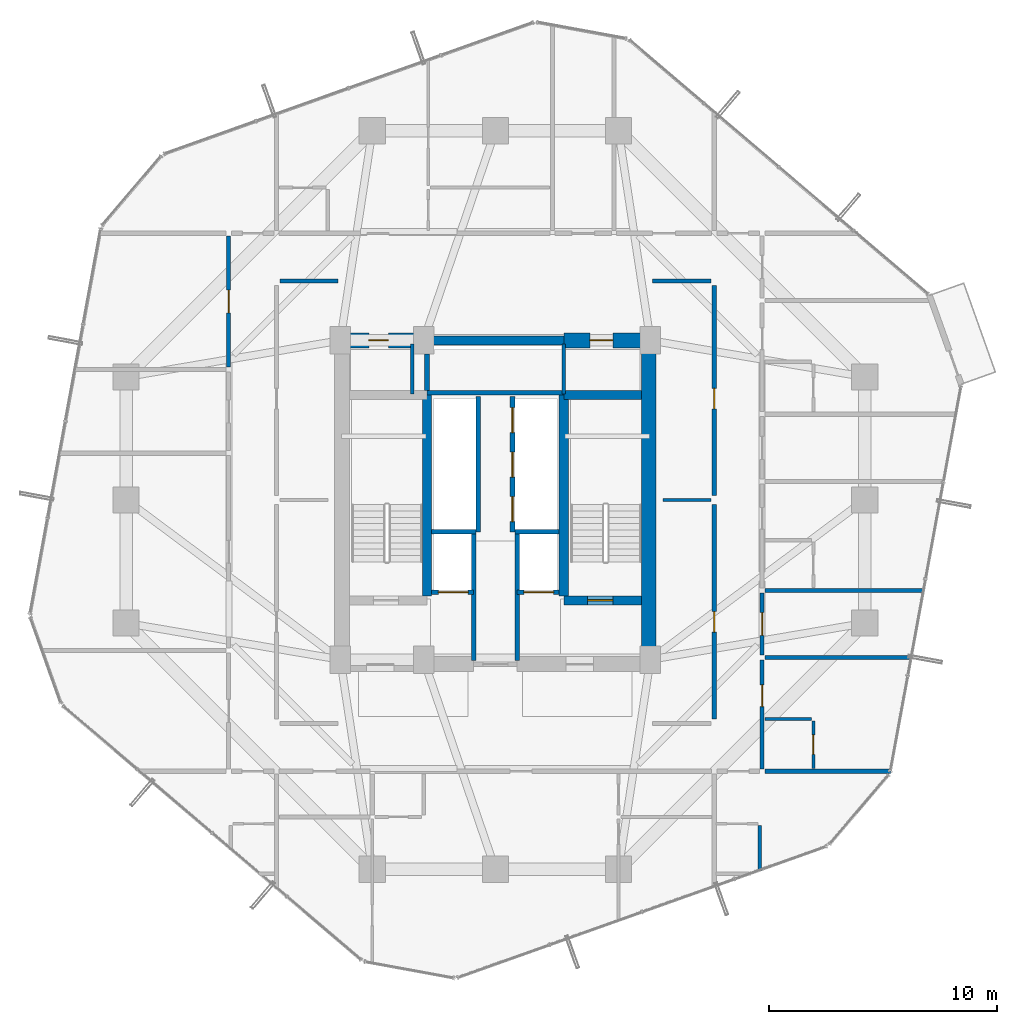
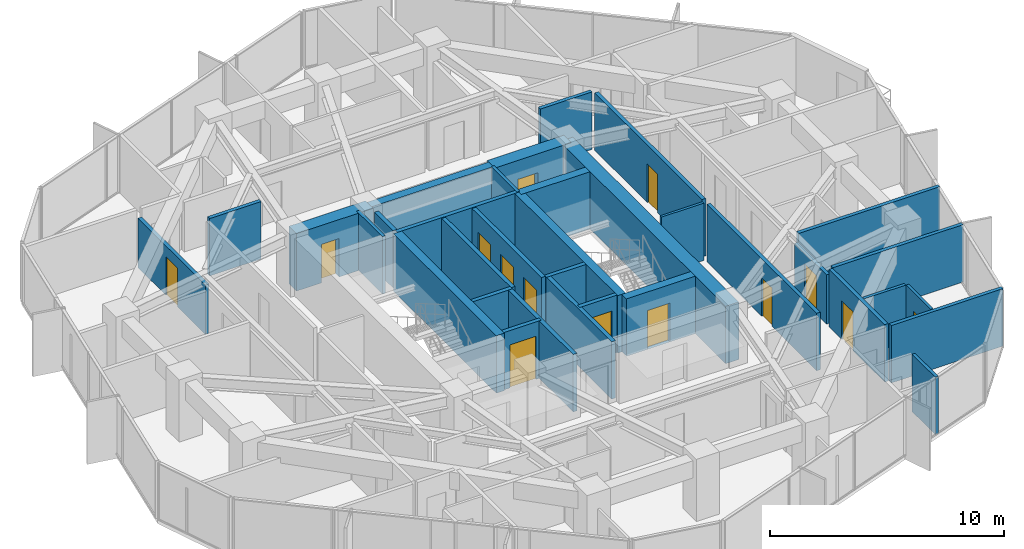
# One storey, part 29 of 33: 34 walls, 14 doors, 14 openings.
"""IFC4 building model written with IfcOpenShell, lengths in metres."""

import ifcopenshell
import ifcopenshell.guid

model = None  # the IFC model being written
_history = None  # IfcOwnerHistory: only IFC2X3 demands one
_inside = {}  # id of a spatial element -> (the spatial element, [elements in it])
_under = {}  # id of a project, library or spatial element -> (it, [spatial elements below it])
_declared = {}  # id of a project -> (the project, [libraries it declares])
_typed = {}  # id of a type object -> (the type object, [elements of that type])
_made_of = {}  # id of a material, layer set ... -> (it, [elements and type objects made of it])


def new_model(schema):
    """Start an empty IFC model of exactly this schema.

    Asked for "IFC4X3", IfcOpenShell would pick the latest addendum, in which some entities
    have other attributes; the version numbers below select the first issue.
    IFC2X3 requires an IfcOwnerHistory on every rooted entity: one is made here for all.
    """
    global model, _history
    if schema == "IFC4X3":
        model = ifcopenshell.file(schema_version=(4, 3, 0, 0))
    else:
        model = ifcopenshell.file(schema=schema)
    _inside.clear()
    _under.clear()
    _declared.clear()
    _typed.clear()
    _made_of.clear()
    _history = None
    if model.schema == "IFC2X3":
        org = make("IfcOrganization", Name="unknown")
        user = make(
            "IfcPersonAndOrganization",
            ThePerson=make("IfcPerson", FamilyName="unknown"),
            TheOrganization=org,
        )
        app = make(
            "IfcApplication",
            ApplicationDeveloper=org,
            Version="unknown",
            ApplicationFullName="unknown",
            ApplicationIdentifier="unknown",
        )
        _history = make(
            "IfcOwnerHistory",
            OwningUser=user,
            OwningApplication=app,
            ChangeAction="ADDED",
            CreationDate=0,
        )
    return model


def make(cls, **values):
    """One entity of the class cls with the attributes given. An attribute that is None is left unset."""
    return model.create_entity(
        cls, **{name: value for name, value in values.items() if value is not None}
    )


def rooted(cls, **values):
    """An entity with a GlobalId (a new one), such as an element, a storey or a relation."""
    return make(cls, GlobalId=ifcopenshell.guid.new(), OwnerHistory=_history, **values)


def si_unit(unit_type, name, prefix=None):
    """IfcSIUnit, for example si_unit("LENGTHUNIT", "METRE", prefix="MILLI")."""
    return make("IfcSIUnit", UnitType=unit_type, Prefix=prefix, Name=name)


def assignment(units):
    """IfcUnitAssignment: the units of a project."""
    return None if units is None else make("IfcUnitAssignment", Units=units)


def point(xyz):
    """IfcCartesianPoint."""
    return None if xyz is None else make("IfcCartesianPoint", Coordinates=xyz)


def direction(xyz):
    """IfcDirection."""
    return None if xyz is None else make("IfcDirection", DirectionRatios=xyz)


def frame(location, z_axis=None, x_axis=None):
    """IfcAxis2Placement3D, a coordinate frame: its origin and axes. An axis left out is left unset."""
    return make(
        "IfcAxis2Placement3D",
        Location=point(location),
        Axis=direction(z_axis),
        RefDirection=direction(x_axis),
    )


def frame_2d(location, x_axis=None):
    """IfcAxis2Placement2D, a coordinate frame in the plane: its origin and x axis."""
    return make(
        "IfcAxis2Placement2D", Location=point(location), RefDirection=direction(x_axis)
    )


def origin():
    """The frame at (0, 0, 0) with its axes left unset."""
    return frame((0.0, 0.0, 0.0))


def place(relative_to, where):
    """IfcLocalPlacement: puts the frame where relative to a parent placement (None: the world)."""
    return make(
        "IfcLocalPlacement", PlacementRelTo=relative_to, RelativePlacement=where
    )


def context(
    kind, dimensions, precision=None, world=None, true_north=None, identifier=None
):
    """IfcGeometricRepresentationContext, for example the 3D "Model" context."""
    return make(
        "IfcGeometricRepresentationContext",
        ContextIdentifier=identifier,
        ContextType=kind,
        CoordinateSpaceDimension=dimensions,
        Precision=precision,
        WorldCoordinateSystem=world,
        TrueNorth=true_north,
    )


def subcontext(parent, identifier, kind, view, scale=None):
    """IfcGeometricRepresentationSubContext, for example "Body" below "Model"."""
    return make(
        "IfcGeometricRepresentationSubContext",
        ContextIdentifier=identifier,
        ContextType=kind,
        ParentContext=parent,
        TargetScale=scale,
        TargetView=view,
    )


def project(units=None, contexts=None):
    """IfcProject with its units and contexts."""
    return rooted(
        "IfcProject",
        Name="project",
        RepresentationContexts=contexts,
        UnitsInContext=assignment(units),
    )


def spatial(cls, under=None, at=None, **own):
    """A site, building, storey or space (cls), placed at a placement, below another one or the project."""
    s = rooted(cls, ObjectPlacement=at, **own)
    if under is not None:
        _under.setdefault(under.id(), (under, []))[1].append(s)
    return s


def profile(cls, at=None, kind="AREA", **sizes):
    """A parametric profile (cls). Its sizes go by their IFC names, for example OverallWidth=200.0."""
    return make(cls, ProfileType=kind, Position=at, **sizes)


def rectangle(**sizes):
    """IfcRectangleProfileDef."""
    return profile("IfcRectangleProfileDef", **sizes)


def extrude(swept, where, along, depth):
    """IfcExtrudedAreaSolid: the profile swept, set in the frame where, extruded along a direction by depth."""
    return make(
        "IfcExtrudedAreaSolid",
        SweptArea=swept,
        Position=where,
        ExtrudedDirection=direction(along),
        Depth=depth,
    )


def shape(context_of_items, identifier, shape_type, items):
    """IfcShapeRepresentation: the items that make up one representation, for example the "Body"."""
    return make(
        "IfcShapeRepresentation",
        ContextOfItems=context_of_items,
        RepresentationIdentifier=identifier,
        RepresentationType=shape_type,
        Items=items,
    )


def source(mapping_origin, context_of_items, identifier, shape_type, items):
    """IfcRepresentationMap: a shape defined once, which mapped items show again and again."""
    return make(
        "IfcRepresentationMap",
        MappingOrigin=mapping_origin,
        MappedRepresentation=shape(context_of_items, identifier, shape_type, items),
    )


def transform(
    local_origin,
    x_axis=None,
    y_axis=None,
    z_axis=None,
    scale=None,
    scale2=None,
    scale3=None,
    uniform=True,
):
    """IfcCartesianTransformationOperator3D, or its non-uniform kind. x_axis, y_axis, z_axis: its Axis1, 2, 3."""
    if uniform:
        return make(
            "IfcCartesianTransformationOperator3D",
            Axis1=direction(x_axis),
            Axis2=direction(y_axis),
            LocalOrigin=point(local_origin),
            Scale=scale,
            Axis3=direction(z_axis),
        )
    return make(
        "IfcCartesianTransformationOperator3DnonUniform",
        Axis1=direction(x_axis),
        Axis2=direction(y_axis),
        LocalOrigin=point(local_origin),
        Scale=scale,
        Axis3=direction(z_axis),
        Scale2=scale2,
        Scale3=scale3,
    )


def mapped(mapping_source, mapping_target):
    """IfcMappedItem: shows the shape of a source again, moved by a transform."""
    return make(
        "IfcMappedItem", MappingSource=mapping_source, MappingTarget=mapping_target
    )


def material(Name=None, Category=None):
    """IfcMaterial."""
    return make("IfcMaterial", Name=Name, Category=Category)


def layer(
    of_material, thickness, ventilated=None, Name=None, Category=None, Priority=None
):
    """IfcMaterialLayer: one layer of a wall or slab, of a material (None: an air gap)."""
    return make(
        "IfcMaterialLayer",
        Material=of_material,
        LayerThickness=thickness,
        IsVentilated=ventilated,
        Name=Name,
        Category=Category,
        Priority=Priority,
    )


def layer_set(layers, Name=None):
    """IfcMaterialLayerSet."""
    return make("IfcMaterialLayerSet", MaterialLayers=layers, LayerSetName=Name)


def made_of(thing, what):
    """Note that an element or type object is made of a material, layer set ...; save() writes the relation."""
    if what is not None:
        _made_of.setdefault(what.id(), (what, []))[1].append(thing)
    return thing


def type_object(cls, material=None, **own):
    """A type object (cls), such as IfcWallType, which elements share."""
    return made_of(rooted(cls, **own), material)


def element(
    cls,
    number,
    at=None,
    inside=None,
    cuts=None,
    type_object=None,
    material=None,
    context=None,
    identifier="Body",
    shape_type=None,
    held_by="IfcProductDefinitionShape",
    body=None,
    shapes=None,
    **own,
):
    """One element of the class cls, such as IfcWall. Its Tag is "e" and its number.

    at: its placement. inside: the storey or other place that contains it. cuts: it is an
    opening in that element (IfcRelVoidsElement). A single representation is given by context,
    identifier, shape_type and body (its items); several are given by shapes. held_by: the class
    of the entity that holds the representations. save() writes the other relations.
    """
    e = rooted(cls, Tag="e%d" % number, ObjectPlacement=at, **own)
    if body is not None:
        shapes = [shape(context, identifier, shape_type, body)]
    if shapes is not None:
        e.Representation = make(held_by, Representations=shapes)
    if inside is not None:
        _inside.setdefault(inside.id(), (inside, []))[1].append(e)
    if cuts is not None:
        rooted(
            "IfcRelVoidsElement", RelatingBuildingElement=cuts, RelatedOpeningElement=e
        )
    if type_object is not None:
        _typed.setdefault(type_object.id(), (type_object, []))[1].append(e)
    return made_of(e, material)


def fill(opening, filler):
    """IfcRelFillsElement: the door or window that sits in an opening."""
    return rooted(
        "IfcRelFillsElement",
        RelatingOpeningElement=opening,
        RelatedBuildingElement=filler,
    )


def aggregate(whole, parts):
    """IfcRelAggregates: a whole, such as a stair, and the parts it consists of."""
    return rooted("IfcRelAggregates", RelatingObject=whole, RelatedObjects=parts)


def save(model, path):
    """Write the relations noted so far, then the file.

    IfcRelAggregates (storeys below a building ...), IfcRelContainedInSpatialStructure (elements
    in a storey), IfcRelDefinesByType, IfcRelAssociatesMaterial and IfcRelDeclares: one each for
    every whole, place, type object, material and project.
    """
    for whole, parts in _under.values():
        aggregate(whole, parts)
    for where, things in _inside.values():
        rooted(
            "IfcRelContainedInSpatialStructure",
            RelatedElements=things,
            RelatingStructure=where,
        )
    for kind, things in _typed.values():
        rooted("IfcRelDefinesByType", RelatedObjects=things, RelatingType=kind)
    for what, things in _made_of.values():
        rooted("IfcRelAssociatesMaterial", RelatedObjects=things, RelatingMaterial=what)
    for by, libraries in _declared.values():
        rooted("IfcRelDeclares", RelatingContext=by, RelatedDefinitions=libraries)
    model.write(path)


model = new_model("IFC4")

# Units and contexts
model_context = context("Model", 3, precision=1e-05, world=origin(), true_north=direction((0.0, 1.0)))
body_context = subcontext(model_context, "Body", "Model", "MODEL_VIEW")
ifc_project = project(units=[si_unit("LENGTHUNIT", "METRE"), si_unit("AREAUNIT", "SQUARE_METRE"), si_unit("VOLUMEUNIT", "CUBIC_METRE"), si_unit("PLANEANGLEUNIT", "RADIAN"), si_unit("MASSUNIT", "GRAM", prefix="KILO")], contexts=[model_context])

# Site, building, storey
site_placement = place(None, origin())
site = spatial("IfcSite", under=ifc_project, at=site_placement, CompositionType="ELEMENT")
building_placement = place(site_placement, origin())
building = spatial("IfcBuilding", under=site, at=building_placement, Name="Veraguas Prism Commons", CompositionType="ELEMENT")
storey_placement = place(building_placement, frame((0.0, 0.0, 92.699951171875)))
storey = spatial("IfcBuildingStorey", under=building, at=storey_placement, Name="L25", CompositionType="ELEMENT", Elevation=92.699951171875)

# Wall
ifc_material_1 = material(Name="Concrete C50/60", Category="concrete")
ifc_layer_1 = layer(ifc_material_1, 0.39990234375, Name="Clinic and Mid Core Shear Wall RC 400", Category="concrete")
ifc_layer_set_1 = layer_set([ifc_layer_1], Name="Concrete C50/60")
wall_type_1 = type_object("IfcWallType", Name="Clinic and Mid Core Shear Wall RC 400", PredefinedType="SHEAR", material=ifc_layer_set_1)
wall_1_placement = place(storey_placement, frame((21.0, 31.0, 0.0), z_axis=(0.0, 0.0, 1.0), x_axis=(1.0, 0.0, 0.0)))
element("IfcWall", 1, at=wall_1_placement, inside=storey, type_object=wall_type_1, Name="High-Rise Lift Bank Front Shear Wall L25", PredefinedType="SHEAR", context=body_context, shape_type="SweptSolid", body=[
    extrude(rectangle(XDim=6.0, YDim=0.39990234375, at=frame_2d((3.0, 0.0))), origin(), (0.0, 0.0, 1.0), 3.0),
])

# Wall, opening, door
wall_2_placement = place(storey_placement, frame((27.0, 19.60009765625, 0.0), z_axis=(0.0, 0.0, 1.0), x_axis=(1.0, 0.0, 0.0)))
wall_2 = element("IfcWall", 2, at=wall_2_placement, inside=storey, type_object=wall_type_1, Name="Stair ST-02 South Shear Wall L25", PredefinedType="SHEAR", context=body_context, shape_type="SweptSolid", body=[
    extrude(rectangle(XDim=3.39990234375, YDim=0.39990234375, at=frame_2d((1.699951171875, 0.0))), origin(), (0.0, 0.0, 1.0), 3.0),
])
opening_1_placement = place(wall_2_placement, frame((1.050048828125, 0.0, 0.0)))
opening_1 = element("IfcOpeningElement", 3, at=opening_1_placement, cuts=wall_2, Name="Opening DR-05", PredefinedType="OPENING", context=body_context, shape_type="SweptSolid", body=[
    extrude(rectangle(XDim=1.10009765625, YDim=2.030029296875, at=frame_2d((0.550048828125, 1.01513671875))), frame((0.0, 0.2099609375, 0.0), z_axis=(0.0, -1.0, 0.0), x_axis=(1.0, 0.0, 0.0)), (0.0, 0.0, 1.0), 0.419921875),
])
ifc_material_2 = material(Name="Steel fire-rated door assembly", Category="steel")
door_type_1 = type_object("IfcDoorType", Name="Protected Stair and Refuge Fire Door 1100x2030", OperationType="NOTDEFINED", PredefinedType="DOOR", material=ifc_material_2)
shared_shape_1 = source(origin(), body_context, "Body", "SweptSolid", [
    extrude(rectangle(XDim=1.10009765625, YDim=2.030029296875, at=frame_2d((0.550048828125, 1.01513671875))), frame((0.0, 0.02490234375, 0.0), z_axis=(0.0, -1.0, 0.0), x_axis=(1.0, 0.0, 0.0)), (0.0, 0.0, 1.0), 0.050048828125),
])
door_1_placement = place(opening_1_placement, origin())
door_1 = element("IfcDoor", 4, at=door_1_placement, inside=storey, type_object=door_type_1, Name="Stair ST-02 Enclosure Door L25", OperationType="SINGLE_SWING_LEFT", OverallHeight=2.030029296875, OverallWidth=1.10009765625, PredefinedType="DOOR", context=body_context, shape_type="MappedRepresentation", body=[
    mapped(shared_shape_1, transform((0.0, 0.0, 0.0), scale=1.0)),
])
fill(opening_1, door_1)

# Walls
for number, where, z_axis, x_axis, name in (
    (5, (21.0, 19.800048828125, 0.0), (0.0, 0.0, 1.0), (0.0, 1.0, 0.0), "Stair ST-01 Inner Shear Wall L25"),
    (6, (27.0, 19.800048828125, 0.0), (0.0, 0.0, 1.0), (0.0, 1.0, 0.0), "Stair ST-02 Inner Shear Wall L25"),
):
    element("IfcWall", number, at=place(storey_placement, frame(where, z_axis=z_axis, x_axis=x_axis)), inside=storey, type_object=wall_type_1, Name=name, PredefinedType="SHEAR", context=body_context, shape_type="SweptSolid", body=[
        extrude(rectangle(XDim=8.800048828125, YDim=0.39990234375, at=frame_2d((4.39990234375, 0.0))), origin(), (0.0, 0.0, 1.0), 3.0),
    ])
wall_3_placement = place(storey_placement, frame((27.0, 28.60009765625, 0.0), z_axis=(0.0, 0.0, 1.0), x_axis=(1.0, 0.0, 0.0)))
element("IfcWall", 7, at=wall_3_placement, inside=storey, type_object=wall_type_1, Name="Stair ST-02 North Shear Wall L25", PredefinedType="SHEAR", context=body_context, shape_type="SweptSolid", body=[
    extrude(rectangle(XDim=3.39990234375, YDim=0.39990234375, at=frame_2d((1.699951171875, 0.0))), origin(), (0.0, 0.0, 1.0), 3.0),
])
ifc_material_3 = material(Name="Concrete C55/67", Category="concrete")
ifc_layer_2 = layer(ifc_material_3, 0.64990234375, Name="Core Outer Shear Wall Mid RC 650", Category="concrete")
ifc_layer_set_2 = layer_set([ifc_layer_2], Name="Concrete C55/67")
wall_type_2 = type_object("IfcWallType", Name="Core Outer Shear Wall Mid RC 650", PredefinedType="SHEAR", material=ifc_layer_set_2)
wall_4_placement = place(storey_placement, frame((30.72509765625, 16.800048828125, 0.0), z_axis=(0.0, 0.0, 1.0), x_axis=(0.0, 1.0, 0.0)))
element("IfcWall", 8, at=wall_4_placement, inside=storey, type_object=wall_type_2, Name="Central Core East Shear Wall L25", PredefinedType="SHEAR", context=body_context, shape_type="SweptSolid", body=[
    extrude(rectangle(XDim=14.199951171875, YDim=0.64990234375, at=frame_2d((7.10009765625, 0.0))), origin(), (0.0, 0.0, 1.0), 3.0),
])

# Wall, opening, door
wall_5_placement = place(storey_placement, frame((17.199951171875, 31.0, 0.0), z_axis=(0.0, 0.0, 1.0), x_axis=(1.0, 0.0, 0.0)))
wall_5 = element("IfcWall", 9, at=wall_5_placement, inside=storey, type_object=wall_type_2, Name="Central Core North-West Shear Wall L25", PredefinedType="SHEAR", context=body_context, shape_type="SweptSolid", body=[
    extrude(rectangle(XDim=3.800048828125, YDim=0.64990234375, at=frame_2d((1.89990234375, 0.0))), origin(), (0.0, 0.0, 1.0), 3.0),
])
opening_2_placement = place(wall_5_placement, frame((1.25, 0.0, 0.0)))
opening_2 = element("IfcOpeningElement", 10, at=opening_2_placement, cuts=wall_5, Name="Opening DR-12", PredefinedType="OPENING", context=body_context, shape_type="SweptSolid", body=[
    extrude(rectangle(XDim=0.860107421875, YDim=2.010009765625, at=frame_2d((0.43017578125, 1.0048828125))), frame((0.0, 0.3349609375, 0.0), z_axis=(0.0, -1.0, 0.0), x_axis=(1.0, 0.0, 0.0)), (0.0, 0.0, 1.0), 0.669921875),
])
door_type_2 = type_object("IfcDoorType", Name="Core WC Fire Door 860x2010", OperationType="NOTDEFINED", PredefinedType="DOOR", material=ifc_material_2)
shared_shape_2 = source(origin(), body_context, "Body", "SweptSolid", [
    extrude(rectangle(XDim=0.860107421875, YDim=2.010009765625, at=frame_2d((0.43017578125, 1.0048828125))), frame((0.0, 0.02490234375, 0.0), z_axis=(0.0, -1.0, 0.0), x_axis=(1.0, 0.0, 0.0)), (0.0, 0.0, 1.0), 0.050048828125),
])
door_2_placement = place(opening_2_placement, origin())
door_2 = element("IfcDoor", 11, at=door_2_placement, inside=storey, type_object=door_type_2, Name="Core NW Service Door L25", OperationType="SINGLE_SWING_RIGHT", OverallHeight=2.010009765625, OverallWidth=0.860107421875, PredefinedType="DOOR", context=body_context, shape_type="MappedRepresentation", body=[
    mapped(shared_shape_2, transform((0.0, 0.0, 0.0), scale=1.0)),
])
fill(opening_2, door_2)

wall_6_placement = place(storey_placement, frame((27.0, 31.0, 0.0), z_axis=(0.0, 0.0, 1.0), x_axis=(1.0, 0.0, 0.0)))
wall_6 = element("IfcWall", 12, at=wall_6_placement, inside=storey, type_object=wall_type_2, Name="Central Core North-East Shear Wall L25", PredefinedType="SHEAR", context=body_context, shape_type="SweptSolid", body=[
    extrude(rectangle(XDim=3.800048828125, YDim=0.64990234375, at=frame_2d((1.89990234375, 0.0))), origin(), (0.0, 0.0, 1.0), 3.0),
])
opening_3_placement = place(wall_6_placement, frame((1.14990234375, 0.0, 0.0)))
opening_3 = element("IfcOpeningElement", 13, at=opening_3_placement, cuts=wall_6, Name="Opening DR-13", PredefinedType="OPENING", context=body_context, shape_type="SweptSolid", body=[
    extrude(rectangle(XDim=1.0, YDim=2.010009765625, at=frame_2d((0.5, 1.0048828125))), frame((0.0, 0.3349609375, 0.0), z_axis=(0.0, -1.0, 0.0), x_axis=(1.0, 0.0, 0.0)), (0.0, 0.0, 1.0), 0.669921875),
])
door_type_3 = type_object("IfcDoorType", Name="Core Accessible WC and Clinic Fire Door 1000x2010", OperationType="NOTDEFINED", PredefinedType="DOOR", material=ifc_material_2)
shared_shape_3 = source(origin(), body_context, "Body", "SweptSolid", [
    extrude(rectangle(XDim=1.0, YDim=2.010009765625, at=frame_2d((0.5, 1.0048828125))), frame((0.0, 0.02490234375, 0.0), z_axis=(0.0, -1.0, 0.0), x_axis=(1.0, 0.0, 0.0)), (0.0, 0.0, 1.0), 0.050048828125),
])
door_3_placement = place(opening_3_placement, origin())
door_3 = element("IfcDoor", 14, at=door_3_placement, inside=storey, type_object=door_type_3, Name="Core NE Pantry Door L25", OperationType="SINGLE_SWING_LEFT", OverallHeight=2.010009765625, OverallWidth=1.0, PredefinedType="DOOR", context=body_context, shape_type="MappedRepresentation", body=[
    mapped(shared_shape_3, transform((0.0, 0.0, 0.0), scale=1.0)),
])
fill(opening_3, door_3)

ifc_material_4 = material(Name="Autoclaved aerated masonry block 10 MPa", Category="masonry")
ifc_layer_3 = layer(ifc_material_4, 0.179931640625, Name="Corridor and Inter-Tenancy Partition 180", Category="masonry")
ifc_layer_set_3 = layer_set([ifc_layer_3], Name="Autoclaved aerated masonry block 10 MPa")
wall_type_3 = type_object("IfcWallType", Name="Corridor and Inter-Tenancy Partition 180", PredefinedType="PARTITIONING", material=ifc_layer_set_3)
wall_7_placement = place(storey_placement, frame((33.60009765625, 14.39990234375, 0.0), z_axis=(0.0, 0.0, 1.0), x_axis=(0.0, 1.0, 0.0)))
wall_7 = element("IfcWall", 15, at=wall_7_placement, inside=storey, type_object=wall_type_3, Name="WL-L25-IRE1", PredefinedType="PARTITIONING", context=body_context, shape_type="SweptSolid", body=[
    extrude(rectangle(XDim=9.400146484375, YDim=0.179931640625, at=frame_2d((4.7001953125, 0.0))), origin(), (0.0, 0.0, 1.0), 3.0),
])
opening_4_placement = place(wall_7_placement, frame((3.800048828125, 0.0, 0.0)))
opening_4 = element("IfcOpeningElement", 16, at=opening_4_placement, cuts=wall_7, Name="Opening DR-14", PredefinedType="OPENING", context=body_context, shape_type="SweptSolid", body=[
    extrude(rectangle(XDim=0.89990234375, YDim=2.010009765625, at=frame_2d((0.449951171875, 1.0048828125))), frame((0.0, 0.099853515625, 0.0), z_axis=(0.0, -1.0, 0.0), x_axis=(1.0, 0.0, 0.0)), (0.0, 0.0, 1.0), 0.199951171875),
])
door_type_4 = type_object("IfcDoorType", Name="Core Service Room Fire Door 900x2010", OperationType="NOTDEFINED", PredefinedType="DOOR", material=ifc_material_2)
shared_shape_4 = source(origin(), body_context, "Body", "SweptSolid", [
    extrude(rectangle(XDim=0.89990234375, YDim=2.010009765625, at=frame_2d((0.449951171875, 1.0048828125))), frame((0.0, 0.02490234375, 0.0), z_axis=(0.0, -1.0, 0.0), x_axis=(1.0, 0.0, 0.0)), (0.0, 0.0, 1.0), 0.050048828125),
])
door_4_placement = place(opening_4_placement, origin())
door_4 = element("IfcDoor", 17, at=door_4_placement, inside=storey, type_object=door_type_4, Name="Shared Laundry Annex Door L25", OperationType="SINGLE_SWING_RIGHT", OverallHeight=2.010009765625, OverallWidth=0.89990234375, PredefinedType="DOOR", context=body_context, shape_type="MappedRepresentation", body=[
    mapped(shared_shape_4, transform((0.0, 0.0, 0.0), scale=1.0)),
])
fill(opening_4, door_4)

wall_8_placement = place(storey_placement, frame((33.60009765625, 24.199951171875, 0.0), z_axis=(0.0, 0.0, 1.0), x_axis=(0.0, 1.0, 0.0)))
wall_8 = element("IfcWall", 18, at=wall_8_placement, inside=storey, type_object=wall_type_3, Name="WL-L25-IRE2", PredefinedType="PARTITIONING", context=body_context, shape_type="SweptSolid", body=[
    extrude(rectangle(XDim=9.199951171875, YDim=0.179931640625, at=frame_2d((4.60009765625, 0.0))), origin(), (0.0, 0.0, 1.0), 3.0),
])
opening_5_placement = place(wall_8_placement, frame((3.800048828125, 0.0, 0.0)))
opening_5 = element("IfcOpeningElement", 19, at=opening_5_placement, cuts=wall_8, Name="Opening DR-14", PredefinedType="OPENING", context=body_context, shape_type="SweptSolid", body=[
    extrude(rectangle(XDim=0.89990234375, YDim=2.010009765625, at=frame_2d((0.449951171875, 1.0048828125))), frame((0.0, 0.099853515625, 0.0), z_axis=(0.0, -1.0, 0.0), x_axis=(1.0, 0.0, 0.0)), (0.0, 0.0, 1.0), 0.199951171875),
])
door_5_placement = place(opening_5_placement, origin())
door_5 = element("IfcDoor", 20, at=door_5_placement, inside=storey, type_object=door_type_4, Name="Community Reading Alcove Door L25", OperationType="SINGLE_SWING_LEFT", OverallHeight=2.010009765625, OverallWidth=0.89990234375, PredefinedType="DOOR", context=body_context, shape_type="MappedRepresentation", body=[
    mapped(shared_shape_4, transform((0.0, 0.0, 0.0), scale=1.0)),
])
fill(opening_5, door_5)

# Walls
for number, where, z_axis, x_axis, name in (
    (21, (14.550048828125, 33.60009765625, 0.0), (0.0, 0.0, 1.0), (1.0, 0.0, 0.0), "WL-L25-IRWN"),
    (22, (30.89990234375, 33.60009765625, 0.0), (0.0, 0.0, 1.0), (1.0, 0.0, 0.0), "WL-L25-IREN"),
):
    element("IfcWall", number, at=place(storey_placement, frame(where, z_axis=z_axis, x_axis=x_axis)), inside=storey, type_object=wall_type_3, Name=name, PredefinedType="PARTITIONING", context=body_context, shape_type="SweptSolid", body=[
        extrude(rectangle(XDim=2.550048828125, YDim=0.179931640625, at=frame_2d((1.27490234375, 0.0))), origin(), (0.0, 0.0, 1.0), 3.0),
    ])

# Wall, opening, door
wall_9_placement = place(storey_placement, frame((12.300048828125, 29.827880859375, 0.0), z_axis=(0.0, 0.0, 1.0), x_axis=(0.0, 1.0, 0.0)))
wall_9 = element("IfcWall", 23, at=wall_9_placement, inside=storey, type_object=wall_type_3, Name="WL-L25-PT032", PredefinedType="PARTITIONING", context=body_context, shape_type="SweptSolid", body=[
    extrude(rectangle(XDim=5.76220703125, YDim=0.179931640625, at=frame_2d((2.881103515625, 0.0))), origin(), (0.0, 0.0, 1.0), 2.580078125),
])
opening_6_placement = place(wall_9_placement, frame((2.381103515625, 0.0, 0.0)))
opening_6 = element("IfcOpeningElement", 24, at=opening_6_placement, cuts=wall_9, Name="Opening DR-13", PredefinedType="OPENING", context=body_context, shape_type="SweptSolid", body=[
    extrude(rectangle(XDim=1.0, YDim=2.010009765625, at=frame_2d((0.5, 1.0048828125))), frame((0.0, 0.099853515625, 0.0), z_axis=(0.0, -1.0, 0.0), x_axis=(1.0, 0.0, 0.0)), (0.0, 0.0, 1.0), 0.199951171875),
])
door_6_placement = place(opening_6_placement, origin())
door_6 = element("IfcDoor", 25, at=door_6_placement, inside=storey, type_object=door_type_3, Name="Co-op Store W Door", OperationType="SINGLE_SWING_LEFT", OverallHeight=2.010009765625, OverallWidth=1.0, PredefinedType="DOOR", context=body_context, shape_type="MappedRepresentation", body=[
    mapped(shared_shape_3, transform((0.0, 0.0, 0.0), scale=1.0)),
])
fill(opening_6, door_6)

# Wall
wall_10_placement = place(storey_placement, frame((35.820068359375, 12.10009765625, 0.0), z_axis=(0.0, 0.0, 1.0), x_axis=(1.0, 0.0, 0.0)))
element("IfcWall", 26, at=wall_10_placement, inside=storey, type_object=wall_type_3, Name="WL-L25-PT034", PredefinedType="PARTITIONING", context=body_context, shape_type="SweptSolid", body=[
    extrude(rectangle(XDim=5.529296875, YDim=0.179931640625, at=frame_2d((2.7646484375, 0.0))), origin(), (0.0, 0.0, 1.0), 3.0),
])

# Wall, opening, door
wall_11_placement = place(storey_placement, frame((35.699951171875, 17.197998046875, 0.0), z_axis=(0.0, 0.0, 1.0), x_axis=(0.0, 1.0, 0.0)))
wall_11 = element("IfcWall", 27, at=wall_11_placement, inside=storey, type_object=wall_type_3, Name="WL-L25-PT036", PredefinedType="PARTITIONING", context=body_context, shape_type="SweptSolid", body=[
    extrude(rectangle(XDim=2.72998046875, YDim=0.179931640625, at=frame_2d((1.364990234375, 0.0))), origin(), (0.0, 0.0, 1.0), 2.580078125),
])
opening_7_placement = place(wall_11_placement, frame((0.864990234375, 0.0, 0.0)))
opening_7 = element("IfcOpeningElement", 28, at=opening_7_placement, cuts=wall_11, Name="Opening DR-13", PredefinedType="OPENING", context=body_context, shape_type="SweptSolid", body=[
    extrude(rectangle(XDim=1.0, YDim=2.010009765625, at=frame_2d((0.5, 1.0048828125))), frame((0.0, 0.099853515625, 0.0), z_axis=(0.0, -1.0, 0.0), x_axis=(1.0, 0.0, 0.0)), (0.0, 0.0, 1.0), 0.199951171875),
])
door_7_placement = place(opening_7_placement, origin())
door_7 = element("IfcDoor", 29, at=door_7_placement, inside=storey, type_object=door_type_3, Name="Quiet Study E Door", OperationType="SINGLE_SWING_RIGHT", OverallHeight=2.010009765625, OverallWidth=1.0, PredefinedType="DOOR", context=body_context, shape_type="MappedRepresentation", body=[
    mapped(shared_shape_3, transform((0.0, 0.0, 0.0), scale=1.0)),
])
fill(opening_7, door_7)

# Wall
wall_12_placement = place(storey_placement, frame((35.820068359375, 17.087890625, 0.0), z_axis=(0.0, 0.0, 1.0), x_axis=(1.0, 0.0, 0.0)))
element("IfcWall", 30, at=wall_12_placement, inside=storey, type_object=wall_type_3, Name="WL-L25-PT037", PredefinedType="PARTITIONING", context=body_context, shape_type="SweptSolid", body=[
    extrude(rectangle(XDim=6.44482421875, YDim=0.179931640625, at=frame_2d((3.222412109375, 0.0))), origin(), (0.0, 0.0, 1.0), 3.0),
])

# Wall, opening, door
wall_13_placement = place(storey_placement, frame((35.699951171875, 12.2099609375, 0.0), z_axis=(0.0, 0.0, 1.0), x_axis=(0.0, 1.0, 0.0)))
wall_13 = element("IfcWall", 31, at=wall_13_placement, inside=storey, type_object=wall_type_3, Name="WL-L25-PT038", PredefinedType="PARTITIONING", context=body_context, shape_type="SweptSolid", body=[
    extrude(rectangle(XDim=4.76806640625, YDim=0.179931640625, at=frame_2d((2.384033203125, 0.0))), origin(), (0.0, 0.0, 1.0), 3.0),
])
opening_8_placement = place(wall_13_placement, frame((2.729248046875, 0.0, 0.0)))
opening_8 = element("IfcOpeningElement", 32, at=opening_8_placement, cuts=wall_13, Name="Opening DR-01", PredefinedType="OPENING", context=body_context, shape_type="SweptSolid", body=[
    extrude(rectangle(XDim=0.949951171875, YDim=2.02001953125, at=frame_2d((0.47509765625, 1.010009765625))), frame((0.0, 0.099853515625, 0.0), z_axis=(0.0, -1.0, 0.0), x_axis=(1.0, 0.0, 0.0)), (0.0, 0.0, 1.0), 0.199951171875),
])
ifc_material_5 = material(Name="Anodised aluminium EN AW-6063 T6", Category="aluminium")
door_type_5 = type_object("IfcDoorType", Name="Apartment Entrance Fire Door 950x2020", OperationType="NOTDEFINED", PredefinedType="DOOR", material=ifc_material_5)
shared_shape_5 = source(origin(), body_context, "Body", "SweptSolid", [
    extrude(rectangle(XDim=0.949951171875, YDim=2.02001953125, at=frame_2d((0.47509765625, 1.010009765625))), frame((0.0, 0.02490234375, 0.0), z_axis=(0.0, -1.0, 0.0), x_axis=(1.0, 0.0, 0.0)), (0.0, 0.0, 1.0), 0.050048828125),
])
door_8_placement = place(opening_8_placement, origin())
door_8 = element("IfcDoor", 33, at=door_8_placement, inside=storey, type_object=door_type_5, Name="Studio 25C Entrance Door", OperationType="SINGLE_SWING_LEFT", OverallHeight=2.02001953125, OverallWidth=0.949951171875, PredefinedType="DOOR", context=body_context, shape_type="MappedRepresentation", body=[
    mapped(shared_shape_5, transform((0.0, 0.0, 0.0), scale=1.0)),
])
fill(opening_8, door_8)

# Walls
wall_14_placement = place(storey_placement, frame((35.820068359375, 20.0380859375, 0.0), z_axis=(0.0, 0.0, 1.0), x_axis=(1.0, 0.0, 0.0)))
element("IfcWall", 34, at=wall_14_placement, inside=storey, type_object=wall_type_3, Name="WL-L25-PT041", PredefinedType="PARTITIONING", context=body_context, shape_type="SweptSolid", body=[
    extrude(rectangle(XDim=6.986083984375, YDim=0.179931640625, at=frame_2d((3.4931640625, 0.0))), origin(), (0.0, 0.0, 1.0), 3.0),
])
ifc_material_6 = material(Name="Lightweight acoustic gypsum board")
ifc_layer_4 = layer(ifc_material_6, 0.125, Name="Internal Apartment Room Partition 125")
ifc_layer_set_4 = layer_set([ifc_layer_4], Name="Lightweight acoustic gypsum board")
wall_type_4 = type_object("IfcWallType", Name="Internal Apartment Room Partition 125", PredefinedType="PARTITIONING", material=ifc_layer_set_4)
wall_15_placement = place(storey_placement, frame((31.35009765625, 24.0, 0.0), z_axis=(0.0, 0.0, 1.0), x_axis=(1.0, 0.0, 0.0)))
element("IfcWall", 35, at=wall_15_placement, inside=storey, type_object=wall_type_4, Name="WL-L25-IREM", PredefinedType="PARTITIONING", context=body_context, shape_type="SweptSolid", body=[
    extrude(rectangle(XDim=2.099853515625, YDim=0.125, at=frame_2d((1.0498046875, 0.0))), origin(), (0.0, 0.0, 1.0), 3.0),
])

# Wall, opening, door
wall_16_placement = place(storey_placement, frame((37.949951171875, 12.219970703125, 0.0), z_axis=(0.0, 0.0, 1.0), x_axis=(0.0, 1.0, 0.0)))
wall_16 = element("IfcWall", 36, at=wall_16_placement, inside=storey, type_object=wall_type_4, Name="WL-L25-PT040", PredefinedType="PARTITIONING", context=body_context, shape_type="SweptSolid", body=[
    extrude(rectangle(XDim=2.093994140625, YDim=0.125, at=frame_2d((1.046875, 0.0))), origin(), (0.0, 0.0, 1.0), 3.0),
])
opening_9_placement = place(wall_16_placement, frame((0.616943359375, 0.0, 0.0)))
opening_9 = element("IfcOpeningElement", 37, at=opening_9_placement, cuts=wall_16, Name="Opening DR-03", PredefinedType="OPENING", context=body_context, shape_type="SweptSolid", body=[
    extrude(rectangle(XDim=0.860107421875, YDim=2.010009765625, at=frame_2d((0.43017578125, 1.0048828125))), frame((0.0, 0.072509765625, 0.0), z_axis=(0.0, -1.0, 0.0), x_axis=(1.0, 0.0, 0.0)), (0.0, 0.0, 1.0), 0.14501953125),
])
ifc_material_7 = material(Name="Timber moisture-resistant leaf", Category="wood")
door_type_6 = type_object("IfcDoorType", Name="Internal Bathroom Door 860x2010", OperationType="NOTDEFINED", PredefinedType="DOOR", material=ifc_material_7)
door_9_placement = place(opening_9_placement, origin())
door_9 = element("IfcDoor", 38, at=door_9_placement, inside=storey, type_object=door_type_6, Name="Studio 25C Bathroom Door", OperationType="SINGLE_SWING_RIGHT", OverallHeight=2.010009765625, OverallWidth=0.860107421875, PredefinedType="DOOR", context=body_context, shape_type="MappedRepresentation", body=[
    mapped(shared_shape_2, transform((0.0, 0.0, 0.0), scale=1.0)),
])
fill(opening_9, door_9)

ifc_layer_5 = layer(ifc_material_4, 0.199951171875, Name="Rated Shaft and Lobby Block Wall 200", Category="masonry")
ifc_layer_set_5 = layer_set([ifc_layer_5], Name="Autoclaved aerated masonry block 10 MPa")
wall_type_5 = type_object("IfcWallType", Name="Rated Shaft and Lobby Block Wall 200", PredefinedType="SOLIDWALL", material=ifc_layer_set_5)
wall_17_placement = place(storey_placement, frame((21.199951171875, 19.949951171875, 0.0), z_axis=(0.0, 0.0, 1.0), x_axis=(1.0, 0.0, 0.0)))
wall_17 = element("IfcWall", 39, at=wall_17_placement, inside=storey, type_object=wall_type_5, Name="Firefighting Lift FFL-1 Front Wall L25", PredefinedType="SOLIDWALL", context=body_context, shape_type="SweptSolid", body=[
    extrude(rectangle(XDim=1.85009765625, YDim=0.199951171875, at=frame_2d((0.925048828125, 0.0))), origin(), (0.0, 0.0, 1.0), 3.0),
])
opening_10_placement = place(wall_17_placement, frame((0.300048828125, 0.0, 0.0)))
opening_10 = element("IfcOpeningElement", 40, at=opening_10_placement, cuts=wall_17, Name="Opening LD-02", PredefinedType="OPENING", context=body_context, shape_type="SweptSolid", body=[
    extrude(rectangle(XDim=1.300048828125, YDim=2.25, at=frame_2d((0.64990234375, 1.125))), frame((0.0, 0.10986328125, 0.0), z_axis=(0.0, -1.0, 0.0), x_axis=(1.0, 0.0, 0.0)), (0.0, 0.0, 1.0), 0.219970703125),
])
ifc_material_8 = material(Name="Stainless steel AISI 316", Category="steel")
door_type_7 = type_object("IfcDoorType", Name="Firefighting Lift Sliding Landing Door 1300x2250", OperationType="NOTDEFINED", PredefinedType="DOOR", material=ifc_material_8)
shared_shape_6 = source(origin(), body_context, "Body", "SweptSolid", [
    extrude(rectangle(XDim=1.300048828125, YDim=2.25, at=frame_2d((0.64990234375, 1.125))), frame((0.0, 0.02490234375, 0.0), z_axis=(0.0, -1.0, 0.0), x_axis=(1.0, 0.0, 0.0)), (0.0, 0.0, 1.0), 0.050048828125),
])
door_10_placement = place(opening_10_placement, origin())
door_10 = element("IfcDoor", 41, at=door_10_placement, inside=storey, type_object=door_type_7, Name="Firefighting Lift FFL-1 Landing Door L25", OperationType="SLIDING_TO_LEFT", OverallHeight=2.25, OverallWidth=1.300048828125, PredefinedType="DOOR", context=body_context, shape_type="MappedRepresentation", body=[
    mapped(shared_shape_6, transform((0.0, 0.0, 0.0), scale=1.0)),
])
fill(opening_10, door_10)

wall_18_placement = place(storey_placement, frame((24.949951171875, 19.949951171875, 0.0), z_axis=(0.0, 0.0, 1.0), x_axis=(1.0, 0.0, 0.0)))
wall_18 = element("IfcWall", 42, at=wall_18_placement, inside=storey, type_object=wall_type_5, Name="Firefighting Lift FFL-2 Front Wall L25", PredefinedType="SOLIDWALL", context=body_context, shape_type="SweptSolid", body=[
    extrude(rectangle(XDim=1.85009765625, YDim=0.199951171875, at=frame_2d((0.925048828125, 0.0))), origin(), (0.0, 0.0, 1.0), 3.0),
])
opening_11_placement = place(wall_18_placement, frame((0.300048828125, 0.0, 0.0)))
opening_11 = element("IfcOpeningElement", 43, at=opening_11_placement, cuts=wall_18, Name="Opening LD-02", PredefinedType="OPENING", context=body_context, shape_type="SweptSolid", body=[
    extrude(rectangle(XDim=1.300048828125, YDim=2.25, at=frame_2d((0.64990234375, 1.125))), frame((0.0, 0.10986328125, 0.0), z_axis=(0.0, -1.0, 0.0), x_axis=(1.0, 0.0, 0.0)), (0.0, 0.0, 1.0), 0.219970703125),
])
door_11_placement = place(opening_11_placement, origin())
door_11 = element("IfcDoor", 44, at=door_11_placement, inside=storey, type_object=door_type_7, Name="Firefighting Lift FFL-2 Front Wall L25", OperationType="SLIDING_TO_LEFT", OverallHeight=2.25, OverallWidth=1.300048828125, PredefinedType="DOOR", context=body_context, shape_type="MappedRepresentation", body=[
    mapped(shared_shape_6, transform((0.0, 0.0, 0.0), scale=1.0)),
])
fill(opening_11, door_11)

# Walls
for number, where, z_axis, x_axis, name in (
    (45, (23.050048828125, 16.949951171875, 0.0), (0.0, 0.0, 1.0), (0.0, 1.0, 0.0), "West FF Lobby Divider Wall L25"),
    (46, (24.949951171875, 16.949951171875, 0.0), (0.0, 0.0, 1.0), (0.0, 1.0, 0.0), "East FF Lobby Divider Wall L25"),
):
    element("IfcWall", number, at=place(storey_placement, frame(where, z_axis=z_axis, x_axis=x_axis)), inside=storey, type_object=wall_type_5, Name=name, PredefinedType="SOLIDWALL", context=body_context, shape_type="SweptSolid", body=[
        extrude(rectangle(XDim=5.60009765625, YDim=0.199951171875, at=frame_2d((2.800048828125, 0.0))), origin(), (0.0, 0.0, 1.0), 3.0),
    ])
for number, where, z_axis, x_axis, name in (
    (47, (21.199951171875, 22.60009765625, 0.0), (0.0, 0.0, 1.0), (1.0, 0.0, 0.0), "Firefighting Lift FFL-1 Rear Wall L25"),
    (48, (24.85009765625, 22.60009765625, 0.0), (0.0, 0.0, 1.0), (1.0, 0.0, 0.0), "Firefighting Lift FFL-2 Rear Wall L25"),
):
    element("IfcWall", number, at=place(storey_placement, frame(where, z_axis=z_axis, x_axis=x_axis)), inside=storey, type_object=wall_type_5, Name=name, PredefinedType="SOLIDWALL", context=body_context, shape_type="SweptSolid", body=[
        extrude(rectangle(XDim=1.949951171875, YDim=0.199951171875, at=frame_2d((0.97509765625, 0.0))), origin(), (0.0, 0.0, 1.0), 3.0),
    ])
wall_19_placement = place(storey_placement, frame((21.0, 28.699951171875, 0.0), z_axis=(0.0, 0.0, 1.0), x_axis=(1.0, 0.0, 0.0)))
element("IfcWall", 49, at=wall_19_placement, inside=storey, type_object=wall_type_5, Name="High-Rise Lift Bank Rear Shaft Wall L25", PredefinedType="SOLIDWALL", context=body_context, shape_type="SweptSolid", body=[
    extrude(rectangle(XDim=6.0, YDim=0.199951171875, at=frame_2d((3.0, 0.0))), origin(), (0.0, 0.0, 1.0), 3.0),
])
wall_20_placement = place(storey_placement, frame((21.0, 28.800048828125, 0.0), z_axis=(0.0, 0.0, 1.0), x_axis=(0.0, 1.0, 0.0)))
element("IfcWall", 50, at=wall_20_placement, inside=storey, type_object=wall_type_5, Name="High-Rise Lift Bank West Shaft Wall L25", PredefinedType="SOLIDWALL", context=body_context, shape_type="SweptSolid", body=[
    extrude(rectangle(XDim=1.599853515625, YDim=0.199951171875, at=frame_2d((0.7998046875, 0.0))), origin(), (0.0, 0.0, 1.0), 3.0),
])
wall_21_placement = place(storey_placement, frame((23.25, 22.60009765625, 0.0), z_axis=(0.0, 0.0, 1.0), x_axis=(0.0, 1.0, 0.0)))
element("IfcWall", 51, at=wall_21_placement, inside=storey, type_object=wall_type_5, Name="Low-Rise Lift Bank Front Wall L25", PredefinedType="SOLIDWALL", context=body_context, shape_type="SweptSolid", body=[
    extrude(rectangle(XDim=5.949951171875, YDim=0.199951171875, at=frame_2d((2.97509765625, 0.0))), origin(), (0.0, 0.0, 1.0), 3.0),
])

# Wall, openings, doors
wall_22_placement = place(storey_placement, frame((24.75, 22.60009765625, 0.0), z_axis=(0.0, 0.0, 1.0), x_axis=(0.0, 1.0, 0.0)))
wall_22 = element("IfcWall", 52, at=wall_22_placement, inside=storey, type_object=wall_type_5, Name="Mid-Rise Lift Bank Front Wall L25", PredefinedType="SOLIDWALL", context=body_context, shape_type="SweptSolid", body=[
    extrude(rectangle(XDim=5.949951171875, YDim=0.199951171875, at=frame_2d((2.97509765625, 0.0))), origin(), (0.0, 0.0, 1.0), 3.0),
])
opening_12_placement = place(wall_22_placement, frame((0.449951171875, 0.0, 0.0)))
opening_12 = element("IfcOpeningElement", 53, at=opening_12_placement, cuts=wall_22, Name="Opening LD-01", PredefinedType="OPENING", context=body_context, shape_type="SweptSolid", body=[
    extrude(rectangle(XDim=1.10009765625, YDim=2.080078125, at=frame_2d((0.550048828125, 1.0400390625))), frame((0.0, 0.10986328125, 0.0), z_axis=(0.0, -1.0, 0.0), x_axis=(1.0, 0.0, 0.0)), (0.0, 0.0, 1.0), 0.219970703125),
])
opening_13_placement = place(wall_22_placement, frame((2.39990234375, 0.0, 0.0)))
opening_13 = element("IfcOpeningElement", 54, at=opening_13_placement, cuts=wall_22, Name="Opening LD-01", PredefinedType="OPENING", context=body_context, shape_type="SweptSolid", body=[
    extrude(rectangle(XDim=1.10009765625, YDim=2.080078125, at=frame_2d((0.550048828125, 1.0400390625))), frame((0.0, 0.10986328125, 0.0), z_axis=(0.0, -1.0, 0.0), x_axis=(1.0, 0.0, 0.0)), (0.0, 0.0, 1.0), 0.219970703125),
])
opening_14_placement = place(wall_22_placement, frame((4.35009765625, 0.0, 0.0)))
opening_14 = element("IfcOpeningElement", 55, at=opening_14_placement, cuts=wall_22, Name="Opening LD-01", PredefinedType="OPENING", context=body_context, shape_type="SweptSolid", body=[
    extrude(rectangle(XDim=1.10009765625, YDim=2.080078125, at=frame_2d((0.550048828125, 1.0400390625))), frame((0.0, 0.10986328125, 0.0), z_axis=(0.0, -1.0, 0.0), x_axis=(1.0, 0.0, 0.0)), (0.0, 0.0, 1.0), 0.219970703125),
])
door_type_8 = type_object("IfcDoorType", Name="Passenger Lift Sliding Landing Door 1100x2080", OperationType="NOTDEFINED", PredefinedType="DOOR", material=ifc_material_8)
shared_shape_7 = source(origin(), body_context, "Body", "SweptSolid", [
    extrude(rectangle(XDim=1.10009765625, YDim=2.080078125, at=frame_2d((0.550048828125, 1.0400390625))), frame((0.0, 0.02490234375, 0.0), z_axis=(0.0, -1.0, 0.0), x_axis=(1.0, 0.0, 0.0)), (0.0, 0.0, 1.0), 0.050048828125),
])
door_12_placement = place(opening_12_placement, origin())
door_12 = element("IfcDoor", 56, at=door_12_placement, inside=storey, type_object=door_type_8, Name="Sliding Landing Door PL-M1 L25", OperationType="SLIDING_TO_LEFT", OverallHeight=2.080078125, OverallWidth=1.10009765625, PredefinedType="DOOR", context=body_context, shape_type="MappedRepresentation", body=[
    mapped(shared_shape_7, transform((0.0, 0.0, 0.0), scale=1.0)),
])
fill(opening_12, door_12)
door_13_placement = place(opening_13_placement, origin())
door_13 = element("IfcDoor", 57, at=door_13_placement, inside=storey, type_object=door_type_8, Name="Sliding Landing Door PL-M2 L25", OperationType="SLIDING_TO_LEFT", OverallHeight=2.080078125, OverallWidth=1.10009765625, PredefinedType="DOOR", context=body_context, shape_type="MappedRepresentation", body=[
    mapped(shared_shape_7, transform((0.0, 0.0, 0.0), scale=1.0)),
])
fill(opening_13, door_13)
door_14_placement = place(opening_14_placement, origin())
door_14 = element("IfcDoor", 58, at=door_14_placement, inside=storey, type_object=door_type_8, Name="Sliding Landing Door PL-M3 L25", OperationType="SLIDING_TO_LEFT", OverallHeight=2.080078125, OverallWidth=1.10009765625, PredefinedType="DOOR", context=body_context, shape_type="MappedRepresentation", body=[
    mapped(shared_shape_7, transform((0.0, 0.0, 0.0), scale=1.0)),
])
fill(opening_14, door_14)

# Walls
ifc_layer_6 = layer(ifc_material_6, 0.14990234375, Name="Wet Room and Clinic Acoustic Partition 150")
ifc_layer_set_6 = layer_set([ifc_layer_6], Name="Lightweight acoustic gypsum board")
wall_type_6 = type_object("IfcWallType", Name="Wet Room and Clinic Acoustic Partition 150", PredefinedType="PARTITIONING", material=ifc_layer_set_6)
for number, where, z_axis, x_axis, name in (
    (59, (20.35009765625, 28.64990234375, 0.0), (0.0, 0.0, 1.0), (0.0, 1.0, 0.0), "Core NW Service Inner Wall L25"),
    (60, (27.0, 28.64990234375, 0.0), (0.0, 0.0, 1.0), (0.0, 1.0, 0.0), "Core NE Service Inner Wall L25"),
):
    element("IfcWall", number, at=place(storey_placement, frame(where, z_axis=z_axis, x_axis=x_axis)), inside=storey, type_object=wall_type_6, Name=name, PredefinedType="PARTITIONING", context=body_context, shape_type="SweptSolid", body=[
        extrude(rectangle(XDim=2.2001953125, YDim=0.14990234375, at=frame_2d((1.10009765625, 0.0))), origin(), (0.0, 0.0, 1.0), 3.0),
    ])
wall_23_placement = place(storey_placement, frame((35.820068359375, 14.39404296875, 0.0), z_axis=(0.0, 0.0, 1.0), x_axis=(1.0, 0.0, 0.0)))
element("IfcWall", 61, at=wall_23_placement, inside=storey, type_object=wall_type_6, Name="WL-L25-PT039", PredefinedType="PARTITIONING", context=body_context, shape_type="SweptSolid", body=[
    extrude(rectangle(XDim=2.050048828125, YDim=0.14990234375, at=frame_2d((1.02490234375, 0.0))), origin(), (0.0, 0.0, 1.0), 3.0),
])
wall_24_placement = place(storey_placement, frame((35.60009765625, 7.736328125, 0.0), z_axis=(0.0, 0.0, 1.0), x_axis=(0.0, 1.0, 0.0)))
element("IfcWall", 62, at=wall_24_placement, inside=storey, type_object=wall_type_6, Name="WL-L25-PT060", PredefinedType="PARTITIONING", context=body_context, shape_type="SweptSolid", body=[
    extrude(rectangle(XDim=1.983642578125, YDim=0.14990234375, at=frame_2d((0.99169921875, 0.0))), origin(), (0.0, 0.0, 1.0), 3.0),
])

save(model, "model.ifc")
